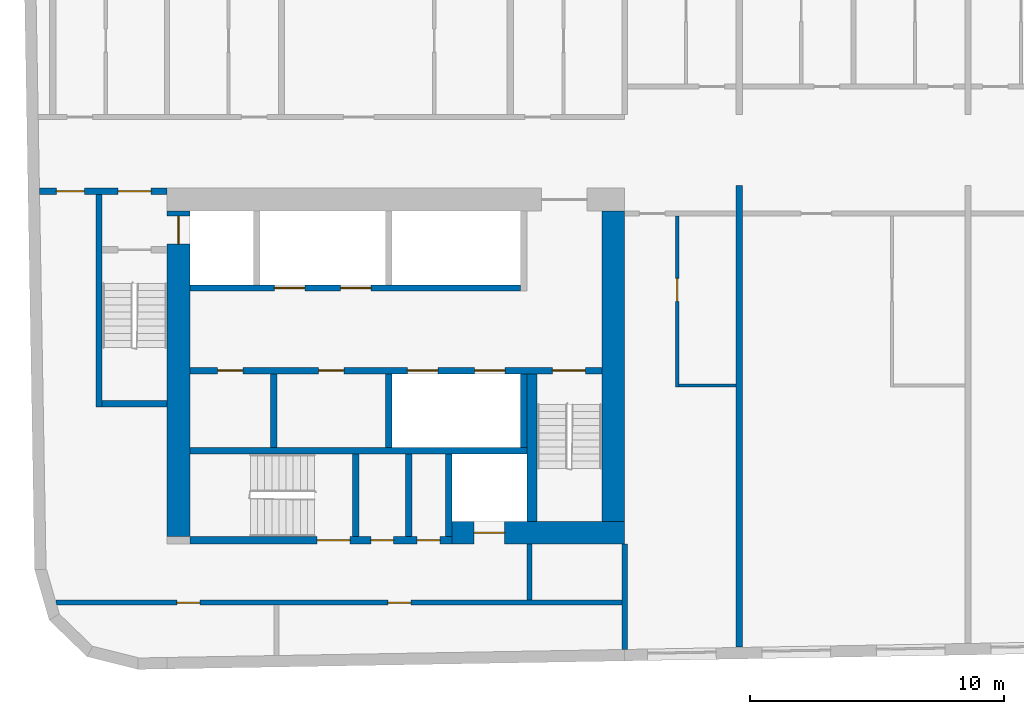
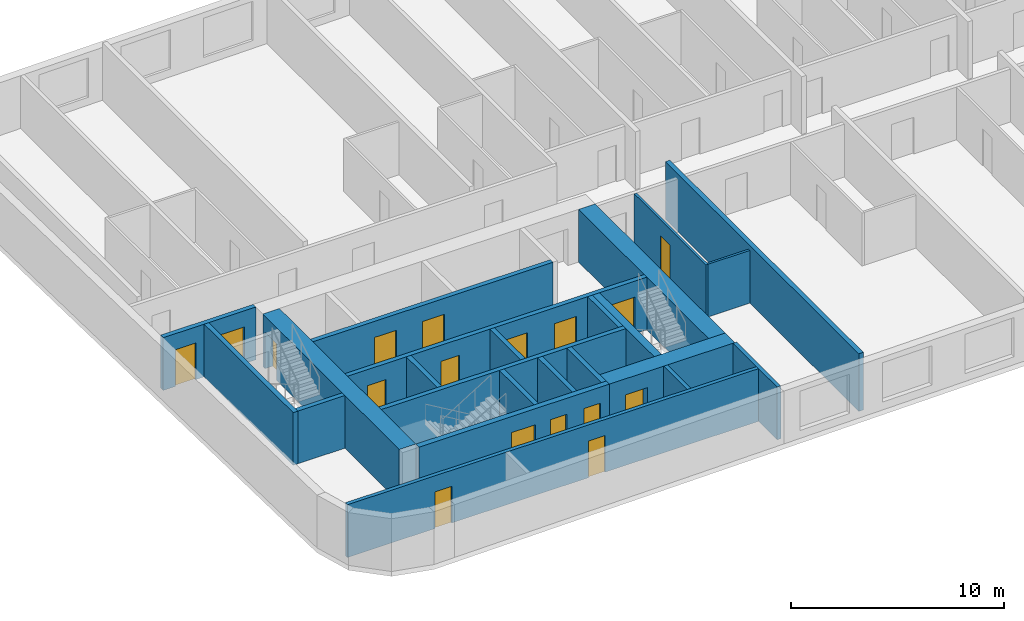
# One storey, part 2 of 11: 23 walls, 17 doors, 17 openings.
"""IFC4 building model written with IfcOpenShell, lengths in metres."""

from ifc_helpers import new_model, si_unit, direction, frame, frame_2d, origin, place, context, subcontext, project, spatial, rectangle, extrude, material, layer, layer_set, type_object, element, fill, save


model = new_model("IFC4")

# Units and contexts
model_context = context("Model", 3, precision=1e-05, world=origin(), true_north=direction((0.0, 1.0)))
body_context = subcontext(model_context, "Body", "Model", "MODEL_VIEW")
ifc_project = project(units=[si_unit("LENGTHUNIT", "METRE"), si_unit("AREAUNIT", "SQUARE_METRE"), si_unit("VOLUMEUNIT", "CUBIC_METRE"), si_unit("PLANEANGLEUNIT", "RADIAN"), si_unit("MASSUNIT", "GRAM", prefix="KILO")], contexts=[model_context])

# Site, building, storey
site_placement = place(None, origin())
site = spatial("IfcSite", under=ifc_project, at=site_placement, CompositionType="ELEMENT")
building_placement = place(site_placement, origin())
building = spatial("IfcBuilding", under=site, at=building_placement, Name="Kajstack Hotel Tower", CompositionType="ELEMENT")
storey_placement = place(building_placement, frame((0.0, 0.0, 221.0)))
storey = spatial("IfcBuildingStorey", under=building, at=storey_placement, Name="L53", CompositionType="ELEMENT", Elevation=221.0)

# Wall, opening, door
ifc_material_1 = material(Name="Concrete C60/75", Category="concrete")
ifc_layer_1 = layer(ifc_material_1, 0.89990234375)
ifc_layer_set_1 = layer_set([ifc_layer_1], Name="Core wall 900")
wall_type_1 = type_object("IfcWallType", Name="Core wall 900", PredefinedType="SHEAR", material=ifc_layer_set_1)
wall_1_placement = place(storey_placement, frame((-20.300048828125, -15.050048828125, 0.0), z_axis=(0.0, 0.0, 1.0), x_axis=(1.0, 0.0, 0.0)))
wall_1 = element("IfcWall", 1, at=wall_1_placement, inside=storey, type_object=wall_type_1, Name="Core wall W RS", PredefinedType="SHEAR", context=body_context, shape_type="SweptSolid", body=[
    extrude(rectangle(XDim=6.800048828125, YDim=0.89990234375, at=frame_2d((3.39990234375, 0.0))), origin(), (0.0, 0.0, 1.0), 3.02001953125),
])
opening_1_placement = place(wall_1_placement, frame((0.875, 0.0, 0.0)))
opening_1 = element("IfcOpeningElement", 2, at=opening_1_placement, cuts=wall_1, Name="Opening LD-SV1", PredefinedType="OPENING", context=body_context, shape_type="SweptSolid", body=[
    extrude(rectangle(XDim=1.199951171875, YDim=2.10009765625, at=frame_2d((0.60009765625, 1.050048828125))), frame((0.0, 0.4599609375, 0.0), z_axis=(0.0, -1.0, 0.0), x_axis=(1.0, 0.0, 0.0)), (0.0, 0.0, 1.0), 0.919921875),
])
ifc_material_2 = material(Name="Stainless steel", Category="steel")
door_type_1 = type_object("IfcDoorType", Name="Lift landing door 1200", OperationType="SLIDING_TO_LEFT", PredefinedType="DOOR", material=ifc_material_2)
door_1_placement = place(opening_1_placement, origin())
door_1 = element("IfcDoor", 3, at=door_1_placement, inside=storey, type_object=door_type_1, Name="Landing door SV1", OperationType="SLIDING_TO_LEFT", OverallHeight=2.10009765625, OverallWidth=1.199951171875, PredefinedType="DOOR", context=body_context, shape_type="SweptSolid", body=[
    extrude(rectangle(XDim=1.199951171875, YDim=2.10009765625, at=frame_2d((0.60009765625, 1.050048828125))), frame((0.0, 0.02490234375, 0.0), z_axis=(0.0, -1.0, 0.0), x_axis=(1.0, 0.0, 0.0)), (0.0, 0.0, 1.0), 0.050048828125),
])
fill(opening_1, door_1)

wall_2_placement = place(storey_placement, frame((-31.050048828125, -15.199951171875, 0.0), z_axis=(0.0, 0.0, 1.0), x_axis=(0.0, 1.0, 0.0)))
wall_2 = element("IfcWall", 4, at=wall_2_placement, inside=storey, type_object=wall_type_1, Name="Core wall W RW", PredefinedType="SHEAR", context=body_context, shape_type="SweptSolid", body=[
    extrude(rectangle(XDim=12.800048828125, YDim=0.89990234375, at=frame_2d((6.39990234375, 0.0))), origin(), (0.0, 0.0, 1.0), 3.02001953125),
])
opening_2_placement = place(wall_2_placement, frame((11.5, 0.0, 0.0)))
opening_2 = element("IfcOpeningElement", 5, at=opening_2_placement, cuts=wall_2, Name="Opening LD-FF1", PredefinedType="OPENING", context=body_context, shape_type="SweptSolid", body=[
    extrude(rectangle(XDim=1.10009765625, YDim=2.10009765625, at=frame_2d((0.550048828125, 1.050048828125))), frame((0.0, 0.4599609375, 0.0), z_axis=(0.0, -1.0, 0.0), x_axis=(1.0, 0.0, 0.0)), (0.0, 0.0, 1.0), 0.919921875),
])
door_type_2 = type_object("IfcDoorType", Name="Fire-fighting lift landing door 1100", OperationType="SLIDING_TO_LEFT", PredefinedType="DOOR", material=ifc_material_2)
door_2_placement = place(opening_2_placement, origin())
door_2 = element("IfcDoor", 6, at=door_2_placement, inside=storey, type_object=door_type_2, Name="Landing door FF1", OperationType="SLIDING_TO_RIGHT", OverallHeight=2.10009765625, OverallWidth=1.10009765625, PredefinedType="DOOR", context=body_context, shape_type="SweptSolid", body=[
    extrude(rectangle(XDim=1.10009765625, YDim=2.10009765625, at=frame_2d((0.550048828125, 1.050048828125))), frame((0.0, 0.02490234375, 0.0), z_axis=(0.0, -1.0, 0.0), x_axis=(1.0, 0.0, 0.0)), (0.0, 0.0, 1.0), 0.050048828125),
])
fill(opening_2, door_2)

# Walls
wall_3_placement = place(storey_placement, frame((-13.949951171875, -14.60009765625, 0.0), z_axis=(0.0, 0.0, 1.0), x_axis=(0.0, 1.0, 0.0)))
element("IfcWall", 7, at=wall_3_placement, inside=storey, type_object=wall_type_1, Name="Core wall W RE", PredefinedType="SHEAR", context=body_context, shape_type="SweptSolid", body=[
    extrude(rectangle(XDim=12.2001953125, YDim=0.89990234375, at=frame_2d((6.10009765625, 0.0))), origin(), (0.0, 0.0, 1.0), 3.02001953125),
])
ifc_material_3 = material(Name="Twin-frame gypsum board on steel studs, mineral wool", Category="steel")
ifc_layer_2 = layer(ifc_material_3, 0.199951171875)
ifc_layer_set_2 = layer_set([ifc_layer_2], Name="Demising wall 200")
wall_type_2 = type_object("IfcWallType", Name="Demising wall 200", PredefinedType="PARTITIONING", material=ifc_layer_set_2)
wall_4_placement = place(storey_placement, frame((-13.5, -19.64111328125, 0.0), z_axis=(0.0, 0.0, 1.0), x_axis=(0.0, 1.0, 0.0)))
element("IfcWall", 8, at=wall_4_placement, inside=storey, type_object=wall_type_2, Name="G-wall-L53-002", PredefinedType="PARTITIONING", context=body_context, shape_type="SweptSolid", body=[
    extrude(rectangle(XDim=4.14111328125, YDim=0.199951171875, at=frame_2d((2.070556640625, 0.0))), origin(), (0.0, 0.0, 1.0), 3.02001953125),
])

# Wall, opening, door
ifc_material_4 = material(Name="Gypsum board and tiled backer on steel studs", Category="steel")
ifc_layer_3 = layer(ifc_material_4, 0.125)
ifc_layer_set_3 = layer_set([ifc_layer_3], Name="En-suite wall 125")
wall_type_3 = type_object("IfcWallType", Name="En-suite wall 125", PredefinedType="PARTITIONING", material=ifc_layer_set_3)
wall_5_placement = place(storey_placement, frame((-11.43798828125, -9.324951171875, 0.0), z_axis=(0.0, 0.0, 1.0), x_axis=(0.0, 1.0, 0.0)))
wall_5 = element("IfcWall", 9, at=wall_5_placement, inside=storey, type_object=wall_type_3, Name="G-wall-L53-031", PredefinedType="PARTITIONING", context=body_context, shape_type="SweptSolid", body=[
    extrude(rectangle(XDim=6.724853515625, YDim=0.125, at=frame_2d((3.3623046875, 0.0))), origin(), (0.0, 0.0, 1.0), 3.02001953125),
])
opening_3_placement = place(wall_5_placement, frame((3.375, 0.0, 0.0)))
opening_3 = element("IfcOpeningElement", 10, at=opening_3_placement, cuts=wall_5, Name="Opening 53022", PredefinedType="OPENING", context=body_context, shape_type="SweptSolid", body=[
    extrude(rectangle(XDim=0.89990234375, YDim=2.10009765625, at=frame_2d((0.449951171875, 1.050048828125))), frame((0.0, 0.072509765625, 0.0), z_axis=(0.0, -1.0, 0.0), x_axis=(1.0, 0.0, 0.0)), (0.0, 0.0, 1.0), 0.14501953125),
])
ifc_material_5 = material(Name="Painted timber door leaf", Category="wood")
door_type_3 = type_object("IfcDoorType", Name="Room door 900", OperationType="SINGLE_SWING_LEFT", PredefinedType="DOOR", material=ifc_material_5)
door_3_placement = place(opening_3_placement, origin())
door_3 = element("IfcDoor", 11, at=door_3_placement, inside=storey, type_object=door_type_3, Name="G-door-L53-22", OperationType="SINGLE_SWING_RIGHT", OverallHeight=2.10009765625, OverallWidth=0.89990234375, PredefinedType="DOOR", context=body_context, shape_type="SweptSolid", body=[
    extrude(rectangle(XDim=0.89990234375, YDim=2.10009765625, at=frame_2d((0.449951171875, 1.050048828125))), frame((0.0, 0.02490234375, 0.0), z_axis=(0.0, -1.0, 0.0), x_axis=(1.0, 0.0, 0.0)), (0.0, 0.0, 1.0), 0.050048828125),
])
fill(opening_3, door_3)

# Walls
wall_6_placement = place(storey_placement, frame((-11.375, -9.261962890625, 0.0), z_axis=(0.0, 0.0, 1.0), x_axis=(1.0, 0.0, 0.0)))
element("IfcWall", 12, at=wall_6_placement, inside=storey, type_object=wall_type_3, Name="G-wall-L53-032", PredefinedType="PARTITIONING", context=body_context, shape_type="SweptSolid", body=[
    extrude(rectangle(XDim=2.25, YDim=0.125, at=frame_2d((1.125, 0.0))), origin(), (0.0, 0.0, 1.0), 3.02001953125),
])
ifc_material_6 = material(Name="Concrete C50/60", Category="concrete")
ifc_layer_4 = layer(ifc_material_6, 0.300048828125)
ifc_layer_set_4 = layer_set([ifc_layer_4], Name="Hoistway divider wall 300")
wall_type_4 = type_object("IfcWallType", Name="Hoistway divider wall 300", PredefinedType="SHEAR", material=ifc_layer_set_4)
wall_7_placement = place(storey_placement, frame((-22.77490234375, -11.699951171875, 0.0), z_axis=(0.0, 0.0, 1.0), x_axis=(0.0, 1.0, 0.0)))
element("IfcWall", 13, at=wall_7_placement, inside=storey, type_object=wall_type_4, Name="Core wall W BP2", PredefinedType="SHEAR", context=body_context, shape_type="SweptSolid", body=[
    extrude(rectangle(XDim=2.89990234375, YDim=0.25, at=frame_2d((1.449951171875, 0.0))), origin(), (0.0, 0.0, 1.0), 3.02001953125),
])
ifc_material_7 = material(Name="Concrete C45/55", Category="concrete")
ifc_layer_5 = layer(ifc_material_7, 0.25)
ifc_layer_set_5 = layer_set([ifc_layer_5], Name="RC cross wall 250 C45/55")
wall_type_5 = type_object("IfcWallType", Name="RC cross wall 250 C45/55", PredefinedType="SHEAR", material=ifc_layer_set_5)
wall_8_placement = place(storey_placement, frame((-9.0, -19.55029296875, 0.0), z_axis=(0.0, 0.0, 1.0), x_axis=(0.0, 1.0, 0.0)))
element("IfcWall", 14, at=wall_8_placement, inside=storey, type_object=wall_type_5, Name="S-wall-L53-04", PredefinedType="SHEAR", context=body_context, shape_type="SweptSolid", body=[
    extrude(rectangle(XDim=18.150390625, YDim=0.25, at=frame_2d((9.0751953125, 0.0))), origin(), (0.0, 0.0, 1.0), 3.300048828125),
])
ifc_material_8 = material(Name="Concrete block masonry", Category="masonry")
ifc_layer_6 = layer(ifc_material_8, 0.25)
ifc_layer_set_6 = layer_set([ifc_layer_6], Name="Riser partition 250")
wall_type_6 = type_object("IfcWallType", Name="Riser partition 250", PredefinedType="PARTITIONING", material=ifc_layer_set_6)
wall_9_placement = place(storey_placement, frame((-27.300048828125, -11.699951171875, 0.0), z_axis=(0.0, 0.0, 1.0), x_axis=(0.0, 1.0, 0.0)))
element("IfcWall", 15, at=wall_9_placement, inside=storey, type_object=wall_type_6, Name="Partition W BF0", PredefinedType="PARTITIONING", context=body_context, shape_type="SweptSolid", body=[
    extrude(rectangle(XDim=2.89990234375, YDim=0.25, at=frame_2d((1.449951171875, 0.0))), origin(), (0.0, 0.0, 1.0), 3.02001953125),
])
wall_10_placement = place(storey_placement, frame((-22.0, -15.199951171875, 0.0), z_axis=(0.0, 0.0, 1.0), x_axis=(0.0, 1.0, 0.0)))
element("IfcWall", 16, at=wall_10_placement, inside=storey, type_object=wall_type_6, Name="Partition W SZ0", PredefinedType="PARTITIONING", context=body_context, shape_type="SweptSolid", body=[
    extrude(rectangle(XDim=3.25, YDim=0.25, at=frame_2d((1.625, 0.0))), origin(), (0.0, 0.0, 1.0), 3.02001953125),
])

# Wall, openings, doors
ifc_material_9 = material(Name="Gypsum board on steel studs, mineral wool", Category="steel")
ifc_layer_7 = layer(ifc_material_9, 0.199951171875)
ifc_layer_set_7 = layer_set([ifc_layer_7], Name="Service partition 200")
wall_type_7 = type_object("IfcWallType", Name="Service partition 200", PredefinedType="PARTITIONING", material=ifc_layer_set_7)
wall_11_placement = place(storey_placement, frame((-36.515380859375, -1.625, 0.0), z_axis=(0.0, 0.0, 1.0), x_axis=(1.0, 0.0, 0.0)))
wall_11 = element("IfcWall", 17, at=wall_11_placement, inside=storey, type_object=wall_type_7, Name="Partition W SN", PredefinedType="PARTITIONING", context=body_context, shape_type="SweptSolid", body=[
    extrude(rectangle(XDim=5.015380859375, YDim=0.25, at=frame_2d((2.5078125, 0.0))), origin(), (0.0, 0.0, 1.0), 3.02001953125),
])
opening_4_placement = place(wall_11_placement, frame((3.09033203125, 0.0, 0.0)))
opening_4 = element("IfcOpeningElement", 18, at=opening_4_placement, cuts=wall_11, Name="Opening 53W08", PredefinedType="OPENING", context=body_context, shape_type="SweptSolid", body=[
    extrude(rectangle(XDim=1.300048828125, YDim=2.10009765625, at=frame_2d((0.64990234375, 1.050048828125))), frame((0.0, 0.135009765625, 0.0), z_axis=(0.0, -1.0, 0.0), x_axis=(1.0, 0.0, 0.0)), (0.0, 0.0, 1.0), 0.27001953125),
])
opening_5_placement = place(wall_11_placement, frame((0.665283203125, 0.0, 0.0)))
opening_5 = element("IfcOpeningElement", 19, at=opening_5_placement, cuts=wall_11, Name="Opening 53W10", PredefinedType="OPENING", context=body_context, shape_type="SweptSolid", body=[
    extrude(rectangle(XDim=1.10009765625, YDim=2.10009765625, at=frame_2d((0.550048828125, 1.050048828125))), frame((0.0, 0.135009765625, 0.0), z_axis=(0.0, -1.0, 0.0), x_axis=(1.0, 0.0, 0.0)), (0.0, 0.0, 1.0), 0.27001953125),
])
ifc_material_10 = material(Name="Steel leaf, fire-rated", Category="steel")
door_type_4 = type_object("IfcDoorType", Name="Fire lobby door 1300", OperationType="SINGLE_SWING_LEFT", PredefinedType="DOOR", material=ifc_material_10)
door_4_placement = place(opening_4_placement, origin())
door_4 = element("IfcDoor", 20, at=door_4_placement, inside=storey, type_object=door_type_4, Name="Door 53W08", OperationType="SINGLE_SWING_RIGHT", OverallHeight=2.10009765625, OverallWidth=1.300048828125, PredefinedType="DOOR", context=body_context, shape_type="SweptSolid", body=[
    extrude(rectangle(XDim=1.300048828125, YDim=2.10009765625, at=frame_2d((0.64990234375, 1.050048828125))), frame((0.0, 0.02490234375, 0.0), z_axis=(0.0, -1.0, 0.0), x_axis=(1.0, 0.0, 0.0)), (0.0, 0.0, 1.0), 0.050048828125),
])
fill(opening_4, door_4)
ifc_material_11 = material(Name="Timber leaf, fire-rated", Category="wood")
door_type_5 = type_object("IfcDoorType", Name="Service corridor door 1100", OperationType="SINGLE_SWING_LEFT", PredefinedType="DOOR", material=ifc_material_11)
door_5_placement = place(opening_5_placement, origin())
door_5 = element("IfcDoor", 21, at=door_5_placement, inside=storey, type_object=door_type_5, Name="Door 53W10", OperationType="SINGLE_SWING_RIGHT", OverallHeight=2.10009765625, OverallWidth=1.10009765625, PredefinedType="DOOR", context=body_context, shape_type="SweptSolid", body=[
    extrude(rectangle(XDim=1.10009765625, YDim=2.10009765625, at=frame_2d((0.550048828125, 1.050048828125))), frame((0.0, 0.02490234375, 0.0), z_axis=(0.0, -1.0, 0.0), x_axis=(1.0, 0.0, 0.0)), (0.0, 0.0, 1.0), 0.050048828125),
])
fill(opening_5, door_5)

# Wall
wall_12_placement = place(storey_placement, frame((-17.25, -17.699951171875, 0.0), z_axis=(0.0, 0.0, 1.0), x_axis=(0.0, 1.0, 0.0)))
element("IfcWall", 22, at=wall_12_placement, inside=storey, type_object=wall_type_7, Name="Partition W SCE", PredefinedType="PARTITIONING", context=body_context, shape_type="SweptSolid", body=[
    extrude(rectangle(XDim=2.199951171875, YDim=0.199951171875, at=frame_2d((1.10009765625, 0.0))), origin(), (0.0, 0.0, 1.0), 3.02001953125),
])

# Wall, openings, doors
wall_13_placement = place(storey_placement, frame((-35.86376953125, -17.800048828125, 0.0), z_axis=(0.0, 0.0, 1.0), x_axis=(1.0, 0.0, 0.0)))
wall_13 = element("IfcWall", 23, at=wall_13_placement, inside=storey, type_object=wall_type_7, Name="Partition W SLN", PredefinedType="PARTITIONING", context=body_context, shape_type="SweptSolid", body=[
    extrude(rectangle(XDim=22.263671875, YDim=0.199951171875, at=frame_2d((11.1318359375, 0.0))), origin(), (0.0, 0.0, 1.0), 3.02001953125),
])
opening_6_placement = place(wall_13_placement, frame((4.751220703125, 0.0, 0.0)))
opening_6 = element("IfcOpeningElement", 24, at=opening_6_placement, cuts=wall_13, Name="Opening 53W17", PredefinedType="OPENING", context=body_context, shape_type="SweptSolid", body=[
    extrude(rectangle(XDim=0.89990234375, YDim=2.10009765625, at=frame_2d((0.449951171875, 1.050048828125))), frame((0.0, 0.10986328125, 0.0), z_axis=(0.0, -1.0, 0.0), x_axis=(1.0, 0.0, 0.0)), (0.0, 0.0, 1.0), 0.219970703125),
])
opening_7_placement = place(wall_13_placement, frame((13.05126953125, 0.0, 0.0)))
opening_7 = element("IfcOpeningElement", 25, at=opening_7_placement, cuts=wall_13, Name="Opening 53W18", PredefinedType="OPENING", context=body_context, shape_type="SweptSolid", body=[
    extrude(rectangle(XDim=0.89990234375, YDim=2.10009765625, at=frame_2d((0.449951171875, 1.050048828125))), frame((0.0, 0.10986328125, 0.0), z_axis=(0.0, -1.0, 0.0), x_axis=(1.0, 0.0, 0.0)), (0.0, 0.0, 1.0), 0.219970703125),
])
door_type_6 = type_object("IfcDoorType", Name="Service door 900", OperationType="SINGLE_SWING_LEFT", PredefinedType="DOOR", material=ifc_material_11)
door_6_placement = place(opening_6_placement, origin())
door_6 = element("IfcDoor", 26, at=door_6_placement, inside=storey, type_object=door_type_6, Name="Door 53W17", OperationType="SINGLE_SWING_RIGHT", OverallHeight=2.10009765625, OverallWidth=0.89990234375, PredefinedType="DOOR", context=body_context, shape_type="SweptSolid", body=[
    extrude(rectangle(XDim=0.89990234375, YDim=2.10009765625, at=frame_2d((0.449951171875, 1.050048828125))), frame((0.0, 0.02490234375, 0.0), z_axis=(0.0, -1.0, 0.0), x_axis=(1.0, 0.0, 0.0)), (0.0, 0.0, 1.0), 0.050048828125),
])
fill(opening_6, door_6)
door_7_placement = place(opening_7_placement, origin())
door_7 = element("IfcDoor", 27, at=door_7_placement, inside=storey, type_object=door_type_6, Name="Door 53W18", OperationType="SINGLE_SWING_RIGHT", OverallHeight=2.10009765625, OverallWidth=0.89990234375, PredefinedType="DOOR", context=body_context, shape_type="SweptSolid", body=[
    extrude(rectangle(XDim=0.89990234375, YDim=2.10009765625, at=frame_2d((0.449951171875, 1.050048828125))), frame((0.0, 0.02490234375, 0.0), z_axis=(0.0, -1.0, 0.0), x_axis=(1.0, 0.0, 0.0)), (0.0, 0.0, 1.0), 0.050048828125),
])
fill(opening_7, door_7)

ifc_layer_8 = layer(ifc_material_6, 0.25)
ifc_layer_set_8 = layer_set([ifc_layer_8], Name="Shaft wall 250")
wall_type_8 = type_object("IfcWallType", Name="Shaft wall 250", PredefinedType="SHEAR", material=ifc_layer_set_8)
wall_14_placement = place(storey_placement, frame((-30.60009765625, -15.35009765625, 0.0), z_axis=(0.0, 0.0, 1.0), x_axis=(1.0, 0.0, 0.0)))
wall_14 = element("IfcWall", 28, at=wall_14_placement, inside=storey, type_object=wall_type_8, Name="Core wall W RSS", PredefinedType="SHEAR", context=body_context, shape_type="SweptSolid", body=[
    extrude(rectangle(XDim=10.300048828125, YDim=0.300048828125, at=frame_2d((5.14990234375, 0.0))), origin(), (0.0, 0.0, 1.0), 3.02001953125),
])
opening_8_placement = place(wall_14_placement, frame((5.0, 0.0, 0.0)))
opening_8 = element("IfcOpeningElement", 29, at=opening_8_placement, cuts=wall_14, Name="Opening 53W12", PredefinedType="OPENING", context=body_context, shape_type="SweptSolid", body=[
    extrude(rectangle(XDim=1.300048828125, YDim=2.10009765625, at=frame_2d((0.64990234375, 1.050048828125))), frame((0.0, 0.159912109375, 0.0), z_axis=(0.0, -1.0, 0.0), x_axis=(1.0, 0.0, 0.0)), (0.0, 0.0, 1.0), 0.320068359375),
])
opening_9_placement = place(wall_14_placement, frame((7.112548828125, 0.0, 0.0)))
opening_9 = element("IfcOpeningElement", 30, at=opening_9_placement, cuts=wall_14, Name="Opening 53W13", PredefinedType="OPENING", context=body_context, shape_type="SweptSolid", body=[
    extrude(rectangle(XDim=0.89990234375, YDim=2.10009765625, at=frame_2d((0.449951171875, 1.050048828125))), frame((0.0, 0.159912109375, 0.0), z_axis=(0.0, -1.0, 0.0), x_axis=(1.0, 0.0, 0.0)), (0.0, 0.0, 1.0), 0.320068359375),
])
opening_10_placement = place(wall_14_placement, frame((8.9375, 0.0, 0.0)))
opening_10 = element("IfcOpeningElement", 31, at=opening_10_placement, cuts=wall_14, Name="Opening 53W14", PredefinedType="OPENING", context=body_context, shape_type="SweptSolid", body=[
    extrude(rectangle(XDim=0.89990234375, YDim=2.10009765625, at=frame_2d((0.449951171875, 1.050048828125))), frame((0.0, 0.159912109375, 0.0), z_axis=(0.0, -1.0, 0.0), x_axis=(1.0, 0.0, 0.0)), (0.0, 0.0, 1.0), 0.320068359375),
])
door_8_placement = place(opening_9_placement, origin())
door_8 = element("IfcDoor", 32, at=door_8_placement, inside=storey, type_object=door_type_6, Name="Door 53W13", OperationType="SINGLE_SWING_LEFT", OverallHeight=2.10009765625, OverallWidth=0.89990234375, PredefinedType="DOOR", context=body_context, shape_type="SweptSolid", body=[
    extrude(rectangle(XDim=0.89990234375, YDim=2.10009765625, at=frame_2d((0.449951171875, 1.050048828125))), frame((0.0, 0.02490234375, 0.0), z_axis=(0.0, -1.0, 0.0), x_axis=(1.0, 0.0, 0.0)), (0.0, 0.0, 1.0), 0.050048828125),
])
fill(opening_9, door_8)
door_9_placement = place(opening_10_placement, origin())
door_9 = element("IfcDoor", 33, at=door_9_placement, inside=storey, type_object=door_type_6, Name="Door 53W14", OperationType="SINGLE_SWING_LEFT", OverallHeight=2.10009765625, OverallWidth=0.89990234375, PredefinedType="DOOR", context=body_context, shape_type="SweptSolid", body=[
    extrude(rectangle(XDim=0.89990234375, YDim=2.10009765625, at=frame_2d((0.449951171875, 1.050048828125))), frame((0.0, 0.02490234375, 0.0), z_axis=(0.0, -1.0, 0.0), x_axis=(1.0, 0.0, 0.0)), (0.0, 0.0, 1.0), 0.050048828125),
])
fill(opening_10, door_9)
door_type_7 = type_object("IfcDoorType", Name="Stair door 1300", OperationType="SINGLE_SWING_LEFT", PredefinedType="DOOR", material=ifc_material_10)
door_10_placement = place(opening_8_placement, origin())
door_10 = element("IfcDoor", 34, at=door_10_placement, inside=storey, type_object=door_type_7, Name="Door 53W12", OperationType="SINGLE_SWING_RIGHT", OverallHeight=2.10009765625, OverallWidth=1.300048828125, PredefinedType="DOOR", context=body_context, shape_type="SweptSolid", body=[
    extrude(rectangle(XDim=1.300048828125, YDim=2.10009765625, at=frame_2d((0.64990234375, 1.050048828125))), frame((0.0, 0.02490234375, 0.0), z_axis=(0.0, -1.0, 0.0), x_axis=(1.0, 0.0, 0.0)), (0.0, 0.0, 1.0), 0.050048828125),
])
fill(opening_8, door_10)

wall_15_placement = place(storey_placement, frame((-30.60009765625, -5.425048828125, 0.0), z_axis=(0.0, 0.0, 1.0), x_axis=(1.0, 0.0, 0.0)))
wall_15 = element("IfcWall", 35, at=wall_15_placement, inside=storey, type_object=wall_type_8, Name="Core wall W FA", PredefinedType="SHEAR", context=body_context, shape_type="SweptSolid", body=[
    extrude(rectangle(XDim=13.0, YDim=0.25, at=frame_2d((6.5, 0.0))), origin(), (0.0, 0.0, 1.0), 3.02001953125),
])
opening_11_placement = place(wall_15_placement, frame((3.324951171875, 0.0, 0.0)))
opening_11 = element("IfcOpeningElement", 36, at=opening_11_placement, cuts=wall_15, Name="Opening LD-MR3", PredefinedType="OPENING", context=body_context, shape_type="SweptSolid", body=[
    extrude(rectangle(XDim=1.199951171875, YDim=2.10009765625, at=frame_2d((0.60009765625, 1.050048828125))), frame((0.0, 0.135009765625, 0.0), z_axis=(0.0, -1.0, 0.0), x_axis=(1.0, 0.0, 0.0)), (0.0, 0.0, 1.0), 0.27001953125),
])
opening_12_placement = place(wall_15_placement, frame((5.925048828125, 0.0, 0.0)))
opening_12 = element("IfcOpeningElement", 37, at=opening_12_placement, cuts=wall_15, Name="Opening LD-MR4", PredefinedType="OPENING", context=body_context, shape_type="SweptSolid", body=[
    extrude(rectangle(XDim=1.199951171875, YDim=2.10009765625, at=frame_2d((0.60009765625, 1.050048828125))), frame((0.0, 0.135009765625, 0.0), z_axis=(0.0, -1.0, 0.0), x_axis=(1.0, 0.0, 0.0)), (0.0, 0.0, 1.0), 0.27001953125),
])
door_11_placement = place(opening_11_placement, origin())
door_11 = element("IfcDoor", 38, at=door_11_placement, inside=storey, type_object=door_type_1, Name="Landing door MR3", OperationType="SLIDING_TO_RIGHT", OverallHeight=2.10009765625, OverallWidth=1.199951171875, PredefinedType="DOOR", context=body_context, shape_type="SweptSolid", body=[
    extrude(rectangle(XDim=1.199951171875, YDim=2.10009765625, at=frame_2d((0.60009765625, 1.050048828125))), frame((0.0, 0.02490234375, 0.0), z_axis=(0.0, -1.0, 0.0), x_axis=(1.0, 0.0, 0.0)), (0.0, 0.0, 1.0), 0.050048828125),
])
fill(opening_11, door_11)
door_12_placement = place(opening_12_placement, origin())
door_12 = element("IfcDoor", 39, at=door_12_placement, inside=storey, type_object=door_type_1, Name="Landing door MR4", OperationType="SLIDING_TO_RIGHT", OverallHeight=2.10009765625, OverallWidth=1.199951171875, PredefinedType="DOOR", context=body_context, shape_type="SweptSolid", body=[
    extrude(rectangle(XDim=1.199951171875, YDim=2.10009765625, at=frame_2d((0.60009765625, 1.050048828125))), frame((0.0, 0.02490234375, 0.0), z_axis=(0.0, -1.0, 0.0), x_axis=(1.0, 0.0, 0.0)), (0.0, 0.0, 1.0), 0.050048828125),
])
fill(opening_12, door_12)

wall_16_placement = place(storey_placement, frame((-30.60009765625, -8.675048828125, 0.0), z_axis=(0.0, 0.0, 1.0), x_axis=(1.0, 0.0, 0.0)))
wall_16 = element("IfcWall", 40, at=wall_16_placement, inside=storey, type_object=wall_type_8, Name="Core wall W FB", PredefinedType="SHEAR", context=body_context, shape_type="SweptSolid", body=[
    extrude(rectangle(XDim=16.2001953125, YDim=0.25, at=frame_2d((8.10009765625, 0.0))), origin(), (0.0, 0.0, 1.0), 3.02001953125),
])
opening_13_placement = place(wall_16_placement, frame((8.550048828125, 0.0, 0.0)))
opening_13 = element("IfcOpeningElement", 41, at=opening_13_placement, cuts=wall_16, Name="Opening LD-MR1", PredefinedType="OPENING", context=body_context, shape_type="SweptSolid", body=[
    extrude(rectangle(XDim=1.199951171875, YDim=2.10009765625, at=frame_2d((0.60009765625, 1.050048828125))), frame((0.0, 0.135009765625, 0.0), z_axis=(0.0, -1.0, 0.0), x_axis=(1.0, 0.0, 0.0)), (0.0, 0.0, 1.0), 0.27001953125),
])
opening_14_placement = place(wall_16_placement, frame((11.199951171875, 0.0, 0.0)))
opening_14 = element("IfcOpeningElement", 42, at=opening_14_placement, cuts=wall_16, Name="Opening LD-MR2", PredefinedType="OPENING", context=body_context, shape_type="SweptSolid", body=[
    extrude(rectangle(XDim=1.199951171875, YDim=2.10009765625, at=frame_2d((0.60009765625, 1.050048828125))), frame((0.0, 0.135009765625, 0.0), z_axis=(0.0, -1.0, 0.0), x_axis=(1.0, 0.0, 0.0)), (0.0, 0.0, 1.0), 0.27001953125),
])
opening_15_placement = place(wall_16_placement, frame((14.25, 0.0, 0.0)))
opening_15 = element("IfcOpeningElement", 43, at=opening_15_placement, cuts=wall_16, Name="Opening 53W11", PredefinedType="OPENING", context=body_context, shape_type="SweptSolid", body=[
    extrude(rectangle(XDim=1.300048828125, YDim=2.10009765625, at=frame_2d((0.64990234375, 1.050048828125))), frame((0.0, 0.135009765625, 0.0), z_axis=(0.0, -1.0, 0.0), x_axis=(1.0, 0.0, 0.0)), (0.0, 0.0, 1.0), 0.27001953125),
])
opening_16_placement = place(wall_16_placement, frame((1.08740234375, 0.0, 0.0)))
opening_16 = element("IfcOpeningElement", 44, at=opening_16_placement, cuts=wall_16, Name="Opening 53W15", PredefinedType="OPENING", context=body_context, shape_type="SweptSolid", body=[
    extrude(rectangle(XDim=1.0, YDim=2.10009765625, at=frame_2d((0.5, 1.050048828125))), frame((0.0, 0.135009765625, 0.0), z_axis=(0.0, -1.0, 0.0), x_axis=(1.0, 0.0, 0.0)), (0.0, 0.0, 1.0), 0.27001953125),
])
opening_17_placement = place(wall_16_placement, frame((5.0625, 0.0, 0.0)))
opening_17 = element("IfcOpeningElement", 45, at=opening_17_placement, cuts=wall_16, Name="Opening 53W16", PredefinedType="OPENING", context=body_context, shape_type="SweptSolid", body=[
    extrude(rectangle(XDim=1.0, YDim=2.10009765625, at=frame_2d((0.5, 1.050048828125))), frame((0.0, 0.135009765625, 0.0), z_axis=(0.0, -1.0, 0.0), x_axis=(1.0, 0.0, 0.0)), (0.0, 0.0, 1.0), 0.27001953125),
])
door_13_placement = place(opening_13_placement, origin())
door_13 = element("IfcDoor", 46, at=door_13_placement, inside=storey, type_object=door_type_1, Name="Landing door MR1", OperationType="SLIDING_TO_LEFT", OverallHeight=2.10009765625, OverallWidth=1.199951171875, PredefinedType="DOOR", context=body_context, shape_type="SweptSolid", body=[
    extrude(rectangle(XDim=1.199951171875, YDim=2.10009765625, at=frame_2d((0.60009765625, 1.050048828125))), frame((0.0, 0.02490234375, 0.0), z_axis=(0.0, -1.0, 0.0), x_axis=(1.0, 0.0, 0.0)), (0.0, 0.0, 1.0), 0.050048828125),
])
fill(opening_13, door_13)
door_14_placement = place(opening_14_placement, origin())
door_14 = element("IfcDoor", 47, at=door_14_placement, inside=storey, type_object=door_type_1, Name="Landing door MR2", OperationType="SLIDING_TO_RIGHT", OverallHeight=2.10009765625, OverallWidth=1.199951171875, PredefinedType="DOOR", context=body_context, shape_type="SweptSolid", body=[
    extrude(rectangle(XDim=1.199951171875, YDim=2.10009765625, at=frame_2d((0.60009765625, 1.050048828125))), frame((0.0, 0.02490234375, 0.0), z_axis=(0.0, -1.0, 0.0), x_axis=(1.0, 0.0, 0.0)), (0.0, 0.0, 1.0), 0.050048828125),
])
fill(opening_14, door_14)
door_type_8 = type_object("IfcDoorType", Name="Service room door 1000", OperationType="SINGLE_SWING_LEFT", PredefinedType="DOOR", material=ifc_material_11)
door_15_placement = place(opening_16_placement, origin())
door_15 = element("IfcDoor", 48, at=door_15_placement, inside=storey, type_object=door_type_8, Name="Door 53W15", OperationType="SINGLE_SWING_RIGHT", OverallHeight=2.10009765625, OverallWidth=1.0, PredefinedType="DOOR", context=body_context, shape_type="SweptSolid", body=[
    extrude(rectangle(XDim=1.0, YDim=2.10009765625, at=frame_2d((0.5, 1.050048828125))), frame((0.0, 0.02490234375, 0.0), z_axis=(0.0, -1.0, 0.0), x_axis=(1.0, 0.0, 0.0)), (0.0, 0.0, 1.0), 0.050048828125),
])
fill(opening_16, door_15)
door_16_placement = place(opening_17_placement, origin())
door_16 = element("IfcDoor", 49, at=door_16_placement, inside=storey, type_object=door_type_8, Name="Door 53W16", OperationType="SINGLE_SWING_RIGHT", OverallHeight=2.10009765625, OverallWidth=1.0, PredefinedType="DOOR", context=body_context, shape_type="SweptSolid", body=[
    extrude(rectangle(XDim=1.0, YDim=2.10009765625, at=frame_2d((0.5, 1.050048828125))), frame((0.0, 0.02490234375, 0.0), z_axis=(0.0, -1.0, 0.0), x_axis=(1.0, 0.0, 0.0)), (0.0, 0.0, 1.0), 0.050048828125),
])
fill(opening_17, door_16)
door_17_placement = place(opening_15_placement, origin())
door_17 = element("IfcDoor", 50, at=door_17_placement, inside=storey, type_object=door_type_7, Name="Door 53W11", OperationType="SINGLE_SWING_RIGHT", OverallHeight=2.10009765625, OverallWidth=1.300048828125, PredefinedType="DOOR", context=body_context, shape_type="SweptSolid", body=[
    extrude(rectangle(XDim=1.300048828125, YDim=2.10009765625, at=frame_2d((0.64990234375, 1.050048828125))), frame((0.0, 0.02490234375, 0.0), z_axis=(0.0, -1.0, 0.0), x_axis=(1.0, 0.0, 0.0)), (0.0, 0.0, 1.0), 0.050048828125),
])
fill(opening_15, door_17)

# Walls
wall_17_placement = place(storey_placement, frame((-30.60009765625, -11.824951171875, 0.0), z_axis=(0.0, 0.0, 1.0), x_axis=(1.0, 0.0, 0.0)))
element("IfcWall", 51, at=wall_17_placement, inside=storey, type_object=wall_type_8, Name="Core wall W RB", PredefinedType="SHEAR", context=body_context, shape_type="SweptSolid", body=[
    extrude(rectangle(XDim=13.25, YDim=0.25, at=frame_2d((6.625, 0.0))), origin(), (0.0, 0.0, 1.0), 3.02001953125),
])
wall_18_placement = place(storey_placement, frame((-17.47509765625, -11.699951171875, 0.0), z_axis=(0.0, 0.0, 1.0), x_axis=(0.0, 1.0, 0.0)))
element("IfcWall", 52, at=wall_18_placement, inside=storey, type_object=wall_type_8, Name="Core wall W BE", PredefinedType="SHEAR", context=body_context, shape_type="SweptSolid", body=[
    extrude(rectangle(XDim=2.89990234375, YDim=0.25, at=frame_2d((1.449951171875, 0.0))), origin(), (0.0, 0.0, 1.0), 3.02001953125),
])
wall_19_placement = place(storey_placement, frame((-20.425048828125, -15.199951171875, 0.0), z_axis=(0.0, 0.0, 1.0), x_axis=(0.0, 1.0, 0.0)))
element("IfcWall", 53, at=wall_19_placement, inside=storey, type_object=wall_type_8, Name="Core wall W SVW", PredefinedType="SHEAR", context=body_context, shape_type="SweptSolid", body=[
    extrude(rectangle(XDim=3.25, YDim=0.25, at=frame_2d((1.625, 0.0))), origin(), (0.0, 0.0, 1.0), 3.02001953125),
])
ifc_material_12 = material(Name="Concrete C40/50", Category="concrete")
ifc_layer_9 = layer(ifc_material_12, 0.25)
ifc_layer_set_9 = layer_set([ifc_layer_9], Name="Stair enclosure wall 250")
wall_type_9 = type_object("IfcWallType", Name="Stair enclosure wall 250", PredefinedType="SHEAR", material=ifc_layer_set_9)
wall_20_placement = place(storey_placement, frame((-34.175048828125, -10.10009765625, 0.0), z_axis=(0.0, 0.0, 1.0), x_axis=(0.0, 1.0, 0.0)))
element("IfcWall", 54, at=wall_20_placement, inside=storey, type_object=wall_type_9, Name="Core wall W W1W", PredefinedType="SHEAR", context=body_context, shape_type="SweptSolid", body=[
    extrude(rectangle(XDim=8.35009765625, YDim=0.25, at=frame_2d((4.175048828125, 0.0))), origin(), (0.0, 0.0, 1.0), 3.02001953125),
])
wall_21_placement = place(storey_placement, frame((-34.050048828125, -9.97509765625, 0.0), z_axis=(0.0, 0.0, 1.0), x_axis=(1.0, 0.0, 0.0)))
element("IfcWall", 55, at=wall_21_placement, inside=storey, type_object=wall_type_9, Name="Core wall W W1S", PredefinedType="SHEAR", context=body_context, shape_type="SweptSolid", body=[
    extrude(rectangle(XDim=2.550048828125, YDim=0.25, at=frame_2d((1.27490234375, 0.0))), origin(), (0.0, 0.0, 1.0), 3.02001953125),
])
ifc_layer_10 = layer(ifc_material_6, 0.35009765625)
ifc_layer_set_10 = layer_set([ifc_layer_10], Name="Stair enclosure wall 350")
wall_type_10 = type_object("IfcWallType", Name="Stair enclosure wall 350", PredefinedType="SHEAR", material=ifc_layer_set_10)
wall_22_placement = place(storey_placement, frame((-24.074951171875, -15.199951171875, 0.0), z_axis=(0.0, 0.0, 1.0), x_axis=(0.0, 1.0, 0.0)))
element("IfcWall", 56, at=wall_22_placement, inside=storey, type_object=wall_type_10, Name="Core wall W W3E", PredefinedType="SHEAR", context=body_context, shape_type="SweptSolid", body=[
    extrude(rectangle(XDim=3.25, YDim=0.25, at=frame_2d((1.625, 0.0))), origin(), (0.0, 0.0, 1.0), 3.02001953125),
])
ifc_layer_11 = layer(ifc_material_6, 0.39990234375)
ifc_layer_set_11 = layer_set([ifc_layer_11], Name="Stair wall 400")
wall_type_11 = type_object("IfcWallType", Name="Stair wall 400", PredefinedType="SHEAR", material=ifc_layer_set_11)
wall_23_placement = place(storey_placement, frame((-17.14990234375, -14.60009765625, 0.0), z_axis=(0.0, 0.0, 1.0), x_axis=(0.0, 1.0, 0.0)))
element("IfcWall", 57, at=wall_23_placement, inside=storey, type_object=wall_type_11, Name="Core wall W WW2", PredefinedType="SHEAR", context=body_context, shape_type="SweptSolid", body=[
    extrude(rectangle(XDim=5.800048828125, YDim=0.39990234375, at=frame_2d((2.89990234375, 0.0))), origin(), (0.0, 0.0, 1.0), 3.02001953125),
])

save(model, "model.ifc")
